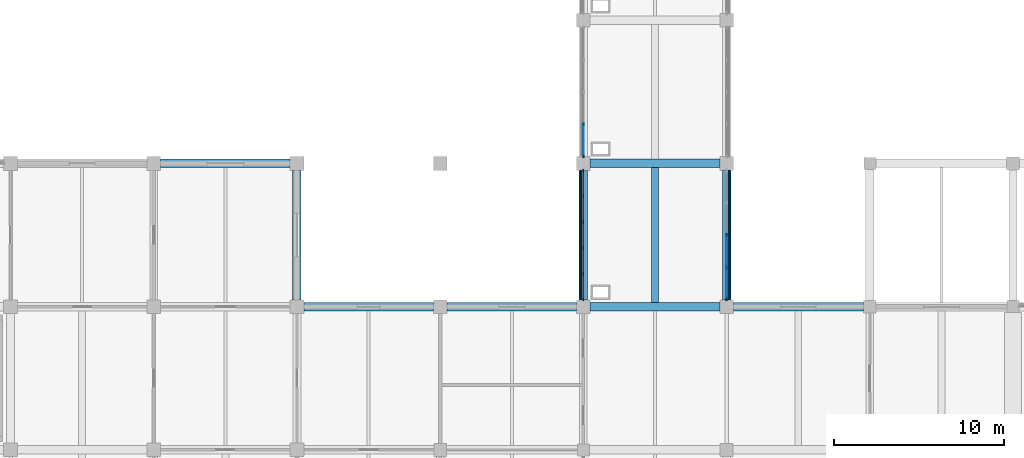
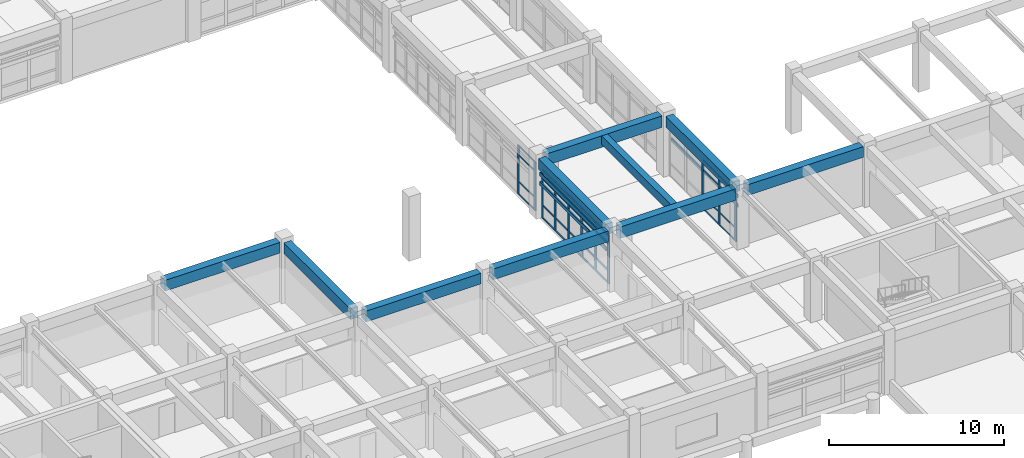
# One storey, part 22 of 99: 47 members, 10 beams, 3 elements without a shape of their own.
"""IFC4 building model written with IfcOpenShell, lengths in metres."""

from ifc_helpers import new_model, si_unit, direction, frame, origin, origin_2d, place, context, subcontext, project, spatial, rectangle, extrude, material, layer, layer_set, material_profile, profile_set, type_object, element, aggregate, save


model = new_model("IFC4")

# Units and contexts
model_context = context("Model", 3, precision=1e-05, world=origin(), true_north=direction((0.0, 1.0)))
body_context = subcontext(model_context, "Body", "Model", "MODEL_VIEW")
ifc_project = project(units=[si_unit("LENGTHUNIT", "METRE"), si_unit("AREAUNIT", "SQUARE_METRE"), si_unit("VOLUMEUNIT", "CUBIC_METRE"), si_unit("PLANEANGLEUNIT", "RADIAN"), si_unit("MASSUNIT", "GRAM", prefix="KILO")], contexts=[model_context])

# Site, building, storey
site_placement = place(None, origin())
site = spatial("IfcSite", under=ifc_project, at=site_placement, CompositionType="ELEMENT")
building_placement = place(site_placement, origin())
building = spatial("IfcBuilding", under=site, at=building_placement, Name="Porcellanite Civic Hall", CompositionType="ELEMENT")
storey_placement = place(building_placement, frame((0.0, 0.0, 5.760009765625)))
storey = spatial("IfcBuildingStorey", under=building, at=storey_placement, Name="L01", CompositionType="ELEMENT", Elevation=5.760009765625)

# Beams
ifc_material_1 = material(Name="Concrete N50 (50 MPa)", Category="concrete")
ifc_material_profile_1 = material_profile(ifc_material_1, rectangle(XDim=0.39990234375, YDim=0.60009765625, at=origin_2d()), Name="RC-400x600")
ifc_profile_set_1 = profile_set([ifc_material_profile_1], Name="Concrete N50 (50 MPa)")
beam_type_1 = type_object("IfcBeamType", Name="BM-RC600", PredefinedType="JOIST", material=ifc_profile_set_1)
beam_1_placement = place(storey_placement, frame((54.60009765625, 67.449462890625, 3.89990234375), z_axis=(0.0, 1.0, 0.0), x_axis=(-1.0, 0.0, 0.0)))
element("IfcBeam", 1, at=beam_1_placement, inside=storey, type_object=beam_type_1, Name="Secondary joist L01 7-9", PredefinedType="JOIST", context=body_context, shape_type="SweptSolid", body=[
    extrude(rectangle(XDim=0.39990234375, YDim=0.60009765625, at=origin_2d()), origin(), (0.0, 0.0, 1.0), 7.901123046875),
])
ifc_material_2 = material(Name="Concrete N50 (50 MPa)", Category="concrete")
ifc_material_profile_2 = material_profile(ifc_material_2, rectangle(XDim=0.5, YDim=0.75, at=origin_2d()), Name="RC-500x750")
ifc_profile_set_2 = profile_set([ifc_material_profile_2], Name="Concrete N50 (50 MPa)")
beam_type_2 = type_object("IfcBeamType", Name="BM-RC750", PredefinedType="SPANDREL", material=ifc_profile_set_2)
beam_2_placement = place(storey_placement, frame((25.599609375, 75.60009765625, 3.824951171875), z_axis=(1.0, 0.0, 0.0), x_axis=(0.0, 1.0, 0.0)))
element("IfcBeam", 2, at=beam_2_placement, inside=storey, type_object=beam_type_2, Name="Beam X L01 4-10", PredefinedType="SPANDREL", context=body_context, shape_type="SweptSolid", body=[
    extrude(rectangle(XDim=0.5, YDim=0.75, at=origin_2d()), origin(), (0.0, 0.0, 1.0), 7.600830078125),
])
for number, where, z_axis, x_axis, name in (
    (3, (33.99951171875, 67.199951171875, 3.824951171875), (1.0, 0.0, 0.0), (0.0, 1.0, 0.0), "Beam X L01 5-9"),
    (4, (42.3994140625, 67.199951171875, 3.824951171875), (1.0, 0.0, 0.0), (0.0, 1.0, 0.0), "Beam X L01 6-9"),
):
    element("IfcBeam", number, at=place(storey_placement, frame(where, z_axis=z_axis, x_axis=x_axis)), inside=storey, type_object=beam_type_2, Name=name, PredefinedType="SPANDREL", context=body_context, shape_type="SweptSolid", body=[
        extrude(rectangle(XDim=0.5, YDim=0.75, at=origin_2d()), origin(), (0.0, 0.0, 1.0), 7.60107421875),
    ])
beam_3_placement = place(storey_placement, frame((59.199462890625, 67.199951171875, 3.824951171875), z_axis=(1.0, 0.0, 0.0), x_axis=(0.0, 1.0, 0.0)))
element("IfcBeam", 5, at=beam_3_placement, inside=storey, type_object=beam_type_2, Name="Beam X L01 8-9", PredefinedType="SPANDREL", context=body_context, shape_type="SweptSolid", body=[
    extrude(rectangle(XDim=0.5, YDim=0.75, at=origin_2d()), origin(), (0.0, 0.0, 1.0), 7.6259765625),
])
for number, where, z_axis, x_axis, name in (
    (6, (33.60009765625, 67.599609375, 3.824951171875), (0.0, 1.0, 0.0), (-1.0, 0.0, 0.0), "Beam Y L01 5-9"),
    (7, (50.39990234375, 67.599609375, 3.824951171875), (0.0, 1.0, 0.0), (-1.0, 0.0, 0.0), "Beam Y L01 7-9"),
    (8, (58.800048828125, 67.599609375, 3.824951171875), (0.0, 1.0, 0.0), (-1.0, 0.0, 0.0), "Beam Y L01 8-9"),
):
    element("IfcBeam", number, at=place(storey_placement, frame(where, z_axis=z_axis, x_axis=x_axis)), inside=storey, type_object=beam_type_2, Name=name, PredefinedType="SPANDREL", context=body_context, shape_type="SweptSolid", body=[
        extrude(rectangle(XDim=0.5, YDim=0.75, at=origin_2d()), origin(), (0.0, 0.0, 1.0), 7.600830078125),
    ])
ifc_material_3 = material(Name="Concrete N50 (50 MPa)", Category="concrete")
ifc_material_profile_3 = material_profile(ifc_material_3, rectangle(XDim=0.5, YDim=0.800048828125, at=origin_2d()), Name="RC-500x800")
ifc_profile_set_3 = profile_set([ifc_material_profile_3], Name="Concrete N50 (50 MPa)")
beam_type_3 = type_object("IfcBeamType", Name="BM-RC800", PredefinedType="BEAM", material=ifc_profile_set_3)
for number, where, z_axis, x_axis, name in (
    (9, (50.799560546875, 67.199951171875, 3.800048828125), (1.0, 0.0, 0.0), (0.0, 1.0, 0.0), "Beam X L01 7-9"),
    (10, (50.799560546875, 75.60009765625, 3.800048828125), (1.0, 0.0, 0.0), (0.0, 1.0, 0.0), "Beam X L01 7-10"),
):
    element("IfcBeam", number, at=place(storey_placement, frame(where, z_axis=z_axis, x_axis=x_axis)), inside=storey, type_object=beam_type_3, Name=name, PredefinedType="BEAM", context=body_context, shape_type="SweptSolid", body=[
        extrude(rectangle(XDim=0.5, YDim=0.800048828125, at=origin_2d()), origin(), (0.0, 0.0, 1.0), 7.600830078125),
    ])

# Curtain wall, members
ifc_material_4 = material(Name="Anodised aluminium and solar laminated glass", Category="aluminium")
ifc_layer_1 = layer(ifc_material_4, 0.179931640625)
ifc_layer_set_1 = layer_set([ifc_layer_1], Name="Anodised aluminium and solar laminated glass")
curtain_wall_type_1 = type_object("IfcCurtainWallType", Name="CW-SYS03", PredefinedType="NOTDEFINED", material=ifc_layer_set_1)
curtain_wall_1_placement = place(storey_placement, origin())
curtain_wall_1 = element("IfcCurtainWall", 11, at=curtain_wall_1_placement, inside=storey, type_object=curtain_wall_type_1, Name="Curtain wall CW-078", PredefinedType="NOTDEFINED")
ifc_material_5 = material(Name="Anodised aluminium 6063-T6", Category="aluminium")
ifc_material_profile_4 = material_profile(ifc_material_5, rectangle(XDim=0.080078125, YDim=0.2099609375, at=origin_2d()), Name="AL-80x210")
ifc_profile_set_4 = profile_set([ifc_material_profile_4], Name="Anodised aluminium 6063-T6")
member_type_1 = type_object("IfcMemberType", Name="CWM-02", PredefinedType="MULLION", material=ifc_profile_set_4)
member_1_placement = place(storey_placement, frame((58.800048828125, 71.39990234375, 0.0), z_axis=(0.0, 0.0, 1.0), x_axis=(1.0, 0.0, 0.0)))
member_1 = element("IfcMember", 12, at=member_1_placement, type_object=member_type_1, Name="CW-078 mullion 3", PredefinedType="MULLION", context=body_context, shape_type="SweptSolid", body=[
    extrude(rectangle(XDim=0.080078125, YDim=0.2099609375, at=origin_2d()), origin(), (0.0, 0.0, 1.0), 3.39990234375),
])
member_2_placement = place(storey_placement, frame((58.800048828125, 69.50048828125, 0.0), z_axis=(0.0, 0.0, 1.0), x_axis=(1.0, 0.0, 0.0)))
member_2 = element("IfcMember", 13, at=member_2_placement, type_object=member_type_1, Name="CW-078 mullion 4", PredefinedType="MULLION", context=body_context, shape_type="SweptSolid", body=[
    extrude(rectangle(XDim=0.080078125, YDim=0.2099609375, at=origin_2d()), origin(), (0.0, 0.0, 1.0), 3.39990234375),
])
member_3_placement = place(storey_placement, frame((58.800048828125, 67.64111328125, 0.0), z_axis=(0.0, 0.0, 1.0), x_axis=(1.0, 0.0, 0.0)))
member_3 = element("IfcMember", 14, at=member_3_placement, type_object=member_type_1, Name="CW-078 mullion 5", PredefinedType="MULLION", context=body_context, shape_type="SweptSolid", body=[
    extrude(rectangle(XDim=0.080078125, YDim=0.2099609375, at=origin_2d()), origin(), (0.0, 0.0, 1.0), 3.39990234375),
])

ifc_material_6 = material(Name="Anodised aluminium and solar laminated glass", Category="aluminium")
ifc_layer_2 = layer(ifc_material_6, 0.179931640625)
ifc_layer_set_2 = layer_set([ifc_layer_2], Name="Anodised aluminium and solar laminated glass")
curtain_wall_type_2 = type_object("IfcCurtainWallType", Name="CW-SYS04", PredefinedType="NOTDEFINED", material=ifc_layer_set_2)
curtain_wall_2_placement = place(storey_placement, origin())
curtain_wall_2 = element("IfcCurtainWall", 15, at=curtain_wall_2_placement, inside=storey, type_object=curtain_wall_type_2, Name="Curtain wall CW-079", PredefinedType="NOTDEFINED")
ifc_material_7 = material(Name="Anodised aluminium 6063-T6", Category="aluminium")
ifc_material_profile_5 = material_profile(ifc_material_7, rectangle(XDim=0.074951171875, YDim=0.18994140625, at=origin_2d()), Name="AL-75x190")
ifc_profile_set_5 = profile_set([ifc_material_profile_5], Name="Anodised aluminium 6063-T6")
member_type_2 = type_object("IfcMemberType", Name="CWM-04", PredefinedType="MULLION", material=ifc_profile_set_5)
member_4_placement = place(storey_placement, frame((50.39990234375, 76.03857421875, 0.0), z_axis=(0.0, 0.0, 1.0), x_axis=(-1.0, 0.0, 0.0)))
member_4 = element("IfcMember", 16, at=member_4_placement, type_object=member_type_2, Name="CW-079 mullion 1", PredefinedType="MULLION", context=body_context, shape_type="SweptSolid", body=[
    extrude(rectangle(XDim=0.074951171875, YDim=0.18994140625, at=origin_2d()), origin(), (0.0, 0.0, 1.0), 3.39990234375),
])
member_5_placement = place(storey_placement, frame((50.39990234375, 77.900390625, 0.0), z_axis=(0.0, 0.0, 1.0), x_axis=(-1.0, 0.0, 0.0)))
member_5 = element("IfcMember", 17, at=member_5_placement, type_object=member_type_2, Name="CW-079 mullion 2", PredefinedType="MULLION", context=body_context, shape_type="SweptSolid", body=[
    extrude(rectangle(XDim=0.074951171875, YDim=0.18994140625, at=origin_2d()), origin(), (0.0, 0.0, 1.0), 3.39990234375),
])

ifc_material_8 = material(Name="Anodised aluminium and solar laminated glass", Category="aluminium")
ifc_layer_3 = layer(ifc_material_8, 0.179931640625)
ifc_layer_set_3 = layer_set([ifc_layer_3], Name="Anodised aluminium and solar laminated glass")
curtain_wall_type_3 = type_object("IfcCurtainWallType", Name="CW-SYS01", PredefinedType="NOTDEFINED", material=ifc_layer_set_3)
curtain_wall_3_placement = place(storey_placement, origin())
curtain_wall_3 = element("IfcCurtainWall", 18, at=curtain_wall_3_placement, inside=storey, type_object=curtain_wall_type_3, Name="Curtain wall CW-077", PredefinedType="NOTDEFINED")
ifc_material_9 = material(Name="Anodised aluminium 6063-T6", Category="aluminium")
ifc_material_profile_6 = material_profile(ifc_material_9, rectangle(XDim=0.070068359375, YDim=0.199951171875, at=origin_2d()), Name="AL-70x200")
ifc_profile_set_6 = profile_set([ifc_material_profile_6], Name="Anodised aluminium 6063-T6")
member_type_3 = type_object("IfcMemberType", Name="CWM-05", PredefinedType="MULLION", material=ifc_profile_set_6)
member_6_placement = place(storey_placement, frame((50.39990234375, 67.635986328125, 0.0), z_axis=(0.0, 0.0, 1.0), x_axis=(-1.0, 0.0, 0.0)))
member_6 = element("IfcMember", 19, at=member_6_placement, type_object=member_type_3, Name="CW-077 mullion 1", PredefinedType="MULLION", context=body_context, shape_type="SweptSolid", body=[
    extrude(rectangle(XDim=0.070068359375, YDim=0.199951171875, at=origin_2d()), origin(), (0.0, 0.0, 1.0), 3.39990234375),
])
member_7_placement = place(storey_placement, frame((50.39990234375, 69.12060546875, 0.0), z_axis=(0.0, 0.0, 1.0), x_axis=(-1.0, 0.0, 0.0)))
member_7 = element("IfcMember", 20, at=member_7_placement, type_object=member_type_3, Name="CW-077 mullion 2", PredefinedType="MULLION", context=body_context, shape_type="SweptSolid", body=[
    extrude(rectangle(XDim=0.070068359375, YDim=0.199951171875, at=origin_2d()), origin(), (0.0, 0.0, 1.0), 3.39990234375),
])
member_8_placement = place(storey_placement, frame((50.39990234375, 70.64013671875, 0.0), z_axis=(0.0, 0.0, 1.0), x_axis=(-1.0, 0.0, 0.0)))
member_8 = element("IfcMember", 21, at=member_8_placement, type_object=member_type_3, Name="CW-077 mullion 3", PredefinedType="MULLION", context=body_context, shape_type="SweptSolid", body=[
    extrude(rectangle(XDim=0.070068359375, YDim=0.199951171875, at=origin_2d()), origin(), (0.0, 0.0, 1.0), 3.39990234375),
])
member_9_placement = place(storey_placement, frame((50.39990234375, 72.159912109375, 0.0), z_axis=(0.0, 0.0, 1.0), x_axis=(-1.0, 0.0, 0.0)))
member_9 = element("IfcMember", 22, at=member_9_placement, type_object=member_type_3, Name="CW-077 mullion 4", PredefinedType="MULLION", context=body_context, shape_type="SweptSolid", body=[
    extrude(rectangle(XDim=0.070068359375, YDim=0.199951171875, at=origin_2d()), origin(), (0.0, 0.0, 1.0), 3.39990234375),
])
member_10_placement = place(storey_placement, frame((50.39990234375, 73.679443359375, 0.0), z_axis=(0.0, 0.0, 1.0), x_axis=(-1.0, 0.0, 0.0)))
member_10 = element("IfcMember", 23, at=member_10_placement, type_object=member_type_3, Name="CW-077 mullion 5", PredefinedType="MULLION", context=body_context, shape_type="SweptSolid", body=[
    extrude(rectangle(XDim=0.070068359375, YDim=0.199951171875, at=origin_2d()), origin(), (0.0, 0.0, 1.0), 3.39990234375),
])
member_11_placement = place(storey_placement, frame((50.39990234375, 75.1640625, 0.0), z_axis=(0.0, 0.0, 1.0), x_axis=(-1.0, 0.0, 0.0)))
member_11 = element("IfcMember", 24, at=member_11_placement, type_object=member_type_3, Name="CW-077 mullion 6", PredefinedType="MULLION", context=body_context, shape_type="SweptSolid", body=[
    extrude(rectangle(XDim=0.070068359375, YDim=0.199951171875, at=origin_2d()), origin(), (0.0, 0.0, 1.0), 3.39990234375),
])
ifc_material_10 = material(Name="Anodised aluminium 6063-T6", Category="aluminium")
ifc_material_profile_7 = material_profile(ifc_material_10, rectangle(XDim=0.06005859375, YDim=0.1298828125, at=origin_2d()), Name="AL-60x130")
ifc_profile_set_7 = profile_set([ifc_material_profile_7], Name="Anodised aluminium 6063-T6")
member_type_4 = type_object("IfcMemberType", Name="CWT-03", PredefinedType="USERDEFINED", material=ifc_profile_set_7)
member_12_placement = place(storey_placement, frame((50.39990234375, 67.6708984375, 0.030029296875), z_axis=(0.0, 1.0, 0.0), x_axis=(-1.0, 0.0, 0.0)))
member_12 = element("IfcMember", 25, at=member_12_placement, type_object=member_type_4, Name="CW-077 transom 1.1", ObjectType="TRANSOM", PredefinedType="USERDEFINED", context=body_context, shape_type="SweptSolid", body=[
    extrude(rectangle(XDim=0.06005859375, YDim=0.1298828125, at=origin_2d()), origin(), (0.0, 0.0, 1.0), 1.414794921875),
])
member_13_placement = place(storey_placement, frame((50.39990234375, 67.6708984375, 0.89990234375), z_axis=(0.0, 1.0, 0.0), x_axis=(-1.0, 0.0, 0.0)))
member_13 = element("IfcMember", 26, at=member_13_placement, type_object=member_type_4, Name="CW-077 transom 1.2", ObjectType="TRANSOM", PredefinedType="USERDEFINED", context=body_context, shape_type="SweptSolid", body=[
    extrude(rectangle(XDim=0.06005859375, YDim=0.1298828125, at=origin_2d()), origin(), (0.0, 0.0, 1.0), 1.414794921875),
])
member_14_placement = place(storey_placement, frame((50.39990234375, 67.6708984375, 2.75), z_axis=(0.0, 1.0, 0.0), x_axis=(-1.0, 0.0, 0.0)))
member_14 = element("IfcMember", 27, at=member_14_placement, type_object=member_type_4, Name="CW-077 transom 1.3", ObjectType="TRANSOM", PredefinedType="USERDEFINED", context=body_context, shape_type="SweptSolid", body=[
    extrude(rectangle(XDim=0.06005859375, YDim=0.1298828125, at=origin_2d()), origin(), (0.0, 0.0, 1.0), 1.414794921875),
])
member_15_placement = place(storey_placement, frame((50.39990234375, 67.6708984375, 3.369873046875), z_axis=(0.0, 1.0, 0.0), x_axis=(-1.0, 0.0, 0.0)))
member_15 = element("IfcMember", 28, at=member_15_placement, type_object=member_type_4, Name="CW-077 transom 1.4", ObjectType="TRANSOM", PredefinedType="USERDEFINED", context=body_context, shape_type="SweptSolid", body=[
    extrude(rectangle(XDim=0.06005859375, YDim=0.1298828125, at=origin_2d()), origin(), (0.0, 0.0, 1.0), 1.414794921875),
])
member_16_placement = place(storey_placement, frame((50.39990234375, 69.155517578125, 0.030029296875), z_axis=(0.0, 1.0, 0.0), x_axis=(-1.0, 0.0, 0.0)))
member_16 = element("IfcMember", 29, at=member_16_placement, type_object=member_type_4, Name="CW-077 transom 2.1", ObjectType="TRANSOM", PredefinedType="USERDEFINED", context=body_context, shape_type="SweptSolid", body=[
    extrude(rectangle(XDim=0.06005859375, YDim=0.1298828125, at=origin_2d()), origin(), (0.0, 0.0, 1.0), 1.44970703125),
])
member_17_placement = place(storey_placement, frame((50.39990234375, 69.155517578125, 0.89990234375), z_axis=(0.0, 1.0, 0.0), x_axis=(-1.0, 0.0, 0.0)))
member_17 = element("IfcMember", 30, at=member_17_placement, type_object=member_type_4, Name="CW-077 transom 2.2", ObjectType="TRANSOM", PredefinedType="USERDEFINED", context=body_context, shape_type="SweptSolid", body=[
    extrude(rectangle(XDim=0.06005859375, YDim=0.1298828125, at=origin_2d()), origin(), (0.0, 0.0, 1.0), 1.44970703125),
])
member_18_placement = place(storey_placement, frame((50.39990234375, 69.155517578125, 2.75), z_axis=(0.0, 1.0, 0.0), x_axis=(-1.0, 0.0, 0.0)))
member_18 = element("IfcMember", 31, at=member_18_placement, type_object=member_type_4, Name="CW-077 transom 2.3", ObjectType="TRANSOM", PredefinedType="USERDEFINED", context=body_context, shape_type="SweptSolid", body=[
    extrude(rectangle(XDim=0.06005859375, YDim=0.1298828125, at=origin_2d()), origin(), (0.0, 0.0, 1.0), 1.44970703125),
])
member_19_placement = place(storey_placement, frame((50.39990234375, 69.155517578125, 3.369873046875), z_axis=(0.0, 1.0, 0.0), x_axis=(-1.0, 0.0, 0.0)))
member_19 = element("IfcMember", 32, at=member_19_placement, type_object=member_type_4, Name="CW-077 transom 2.4", ObjectType="TRANSOM", PredefinedType="USERDEFINED", context=body_context, shape_type="SweptSolid", body=[
    extrude(rectangle(XDim=0.06005859375, YDim=0.1298828125, at=origin_2d()), origin(), (0.0, 0.0, 1.0), 1.44970703125),
])
member_20_placement = place(storey_placement, frame((50.39990234375, 70.67529296875, 0.030029296875), z_axis=(0.0, 1.0, 0.0), x_axis=(-1.0, 0.0, 0.0)))
member_20 = element("IfcMember", 33, at=member_20_placement, type_object=member_type_4, Name="CW-077 transom 3.1", ObjectType="TRANSOM", PredefinedType="USERDEFINED", context=body_context, shape_type="SweptSolid", body=[
    extrude(rectangle(XDim=0.06005859375, YDim=0.1298828125, at=origin_2d()), origin(), (0.0, 0.0, 1.0), 1.449462890625),
])
member_21_placement = place(storey_placement, frame((50.39990234375, 70.67529296875, 0.89990234375), z_axis=(0.0, 1.0, 0.0), x_axis=(-1.0, 0.0, 0.0)))
member_21 = element("IfcMember", 34, at=member_21_placement, type_object=member_type_4, Name="CW-077 transom 3.2", ObjectType="TRANSOM", PredefinedType="USERDEFINED", context=body_context, shape_type="SweptSolid", body=[
    extrude(rectangle(XDim=0.06005859375, YDim=0.1298828125, at=origin_2d()), origin(), (0.0, 0.0, 1.0), 1.449462890625),
])
member_22_placement = place(storey_placement, frame((50.39990234375, 70.67529296875, 2.75), z_axis=(0.0, 1.0, 0.0), x_axis=(-1.0, 0.0, 0.0)))
member_22 = element("IfcMember", 35, at=member_22_placement, type_object=member_type_4, Name="CW-077 transom 3.3", ObjectType="TRANSOM", PredefinedType="USERDEFINED", context=body_context, shape_type="SweptSolid", body=[
    extrude(rectangle(XDim=0.06005859375, YDim=0.1298828125, at=origin_2d()), origin(), (0.0, 0.0, 1.0), 1.449462890625),
])
member_23_placement = place(storey_placement, frame((50.39990234375, 70.67529296875, 3.369873046875), z_axis=(0.0, 1.0, 0.0), x_axis=(-1.0, 0.0, 0.0)))
member_23 = element("IfcMember", 36, at=member_23_placement, type_object=member_type_4, Name="CW-077 transom 3.4", ObjectType="TRANSOM", PredefinedType="USERDEFINED", context=body_context, shape_type="SweptSolid", body=[
    extrude(rectangle(XDim=0.06005859375, YDim=0.1298828125, at=origin_2d()), origin(), (0.0, 0.0, 1.0), 1.449462890625),
])
member_24_placement = place(storey_placement, frame((50.39990234375, 72.19482421875, 0.030029296875), z_axis=(0.0, 1.0, 0.0), x_axis=(-1.0, 0.0, 0.0)))
member_24 = element("IfcMember", 37, at=member_24_placement, type_object=member_type_4, Name="CW-077 transom 4.1", ObjectType="TRANSOM", PredefinedType="USERDEFINED", context=body_context, shape_type="SweptSolid", body=[
    extrude(rectangle(XDim=0.06005859375, YDim=0.1298828125, at=origin_2d()), origin(), (0.0, 0.0, 1.0), 1.449462890625),
])
member_25_placement = place(storey_placement, frame((50.39990234375, 72.19482421875, 0.89990234375), z_axis=(0.0, 1.0, 0.0), x_axis=(-1.0, 0.0, 0.0)))
member_25 = element("IfcMember", 38, at=member_25_placement, type_object=member_type_4, Name="CW-077 transom 4.2", ObjectType="TRANSOM", PredefinedType="USERDEFINED", context=body_context, shape_type="SweptSolid", body=[
    extrude(rectangle(XDim=0.06005859375, YDim=0.1298828125, at=origin_2d()), origin(), (0.0, 0.0, 1.0), 1.449462890625),
])
member_26_placement = place(storey_placement, frame((50.39990234375, 72.19482421875, 2.75), z_axis=(0.0, 1.0, 0.0), x_axis=(-1.0, 0.0, 0.0)))
member_26 = element("IfcMember", 39, at=member_26_placement, type_object=member_type_4, Name="CW-077 transom 4.3", ObjectType="TRANSOM", PredefinedType="USERDEFINED", context=body_context, shape_type="SweptSolid", body=[
    extrude(rectangle(XDim=0.06005859375, YDim=0.1298828125, at=origin_2d()), origin(), (0.0, 0.0, 1.0), 1.449462890625),
])
member_27_placement = place(storey_placement, frame((50.39990234375, 72.19482421875, 3.369873046875), z_axis=(0.0, 1.0, 0.0), x_axis=(-1.0, 0.0, 0.0)))
member_27 = element("IfcMember", 40, at=member_27_placement, type_object=member_type_4, Name="CW-077 transom 4.4", ObjectType="TRANSOM", PredefinedType="USERDEFINED", context=body_context, shape_type="SweptSolid", body=[
    extrude(rectangle(XDim=0.06005859375, YDim=0.1298828125, at=origin_2d()), origin(), (0.0, 0.0, 1.0), 1.449462890625),
])
member_28_placement = place(storey_placement, frame((50.39990234375, 73.71435546875, 0.030029296875), z_axis=(0.0, 1.0, 0.0), x_axis=(-1.0, 0.0, 0.0)))
member_28 = element("IfcMember", 41, at=member_28_placement, type_object=member_type_4, Name="CW-077 transom 5.1", ObjectType="TRANSOM", PredefinedType="USERDEFINED", context=body_context, shape_type="SweptSolid", body=[
    extrude(rectangle(XDim=0.06005859375, YDim=0.1298828125, at=origin_2d()), origin(), (0.0, 0.0, 1.0), 1.41455078125),
])
member_29_placement = place(storey_placement, frame((50.39990234375, 73.71435546875, 0.89990234375), z_axis=(0.0, 1.0, 0.0), x_axis=(-1.0, 0.0, 0.0)))
member_29 = element("IfcMember", 42, at=member_29_placement, type_object=member_type_4, Name="CW-077 transom 5.2", ObjectType="TRANSOM", PredefinedType="USERDEFINED", context=body_context, shape_type="SweptSolid", body=[
    extrude(rectangle(XDim=0.06005859375, YDim=0.1298828125, at=origin_2d()), origin(), (0.0, 0.0, 1.0), 1.41455078125),
])
member_30_placement = place(storey_placement, frame((50.39990234375, 73.71435546875, 2.75), z_axis=(0.0, 1.0, 0.0), x_axis=(-1.0, 0.0, 0.0)))
member_30 = element("IfcMember", 43, at=member_30_placement, type_object=member_type_4, Name="CW-077 transom 5.3", ObjectType="TRANSOM", PredefinedType="USERDEFINED", context=body_context, shape_type="SweptSolid", body=[
    extrude(rectangle(XDim=0.06005859375, YDim=0.1298828125, at=origin_2d()), origin(), (0.0, 0.0, 1.0), 1.41455078125),
])
member_31_placement = place(storey_placement, frame((50.39990234375, 73.71435546875, 3.369873046875), z_axis=(0.0, 1.0, 0.0), x_axis=(-1.0, 0.0, 0.0)))
member_31 = element("IfcMember", 44, at=member_31_placement, type_object=member_type_4, Name="CW-077 transom 5.4", ObjectType="TRANSOM", PredefinedType="USERDEFINED", context=body_context, shape_type="SweptSolid", body=[
    extrude(rectangle(XDim=0.06005859375, YDim=0.1298828125, at=origin_2d()), origin(), (0.0, 0.0, 1.0), 1.41455078125),
])
aggregate(curtain_wall_3, [member_6, member_7, member_8, member_9, member_10, member_11, member_12, member_13, member_14, member_15, member_16, member_17, member_18, member_19, member_20, member_21, member_22, member_23, member_24, member_25, member_26, member_27, member_28, member_29, member_30, member_31])

# Member
ifc_material_11 = material(Name="Anodised aluminium 6063-T6", Category="aluminium")
ifc_material_profile_8 = material_profile(ifc_material_11, rectangle(XDim=0.054931640625, YDim=0.1201171875, at=origin_2d()), Name="AL-55x120")
ifc_profile_set_8 = profile_set([ifc_material_profile_8], Name="Anodised aluminium 6063-T6")
member_type_5 = type_object("IfcMemberType", Name="CWT-04", PredefinedType="USERDEFINED", material=ifc_profile_set_8)
member_32_placement = place(storey_placement, frame((58.800048828125, 71.360107421875, 0.027587890625), z_axis=(0.0, -1.0, 0.0), x_axis=(1.0, 0.0, 0.0)))
member_32 = element("IfcMember", 45, at=member_32_placement, type_object=member_type_5, Name="CW-078 transom 3.1", ObjectType="TRANSOM", PredefinedType="USERDEFINED", context=body_context, shape_type="SweptSolid", body=[
    extrude(rectangle(XDim=0.054931640625, YDim=0.1201171875, at=origin_2d()), origin(), (0.0, 0.0, 1.0), 1.819580078125),
])

member_33_placement = place(storey_placement, frame((58.800048828125, 71.360107421875, 0.89990234375), z_axis=(0.0, -1.0, 0.0), x_axis=(1.0, 0.0, 0.0)))
member_33 = element("IfcMember", 46, at=member_33_placement, type_object=member_type_5, Name="CW-078 transom 3.2", ObjectType="TRANSOM", PredefinedType="USERDEFINED", context=body_context, shape_type="SweptSolid", body=[
    extrude(rectangle(XDim=0.054931640625, YDim=0.1201171875, at=origin_2d()), origin(), (0.0, 0.0, 1.0), 1.819580078125),
])

member_34_placement = place(storey_placement, frame((58.800048828125, 71.360107421875, 2.75), z_axis=(0.0, -1.0, 0.0), x_axis=(1.0, 0.0, 0.0)))
member_34 = element("IfcMember", 47, at=member_34_placement, type_object=member_type_5, Name="CW-078 transom 3.3", ObjectType="TRANSOM", PredefinedType="USERDEFINED", context=body_context, shape_type="SweptSolid", body=[
    extrude(rectangle(XDim=0.054931640625, YDim=0.1201171875, at=origin_2d()), origin(), (0.0, 0.0, 1.0), 1.819580078125),
])

member_35_placement = place(storey_placement, frame((58.800048828125, 71.360107421875, 3.37255859375), z_axis=(0.0, -1.0, 0.0), x_axis=(1.0, 0.0, 0.0)))
member_35 = element("IfcMember", 48, at=member_35_placement, type_object=member_type_5, Name="CW-078 transom 3.4", ObjectType="TRANSOM", PredefinedType="USERDEFINED", context=body_context, shape_type="SweptSolid", body=[
    extrude(rectangle(XDim=0.054931640625, YDim=0.1201171875, at=origin_2d()), origin(), (0.0, 0.0, 1.0), 1.819580078125),
])

member_36_placement = place(storey_placement, frame((58.800048828125, 69.46044921875, 0.027587890625), z_axis=(0.0, -1.0, 0.0), x_axis=(1.0, 0.0, 0.0)))
member_36 = element("IfcMember", 49, at=member_36_placement, type_object=member_type_5, Name="CW-078 transom 4.1", ObjectType="TRANSOM", PredefinedType="USERDEFINED", context=body_context, shape_type="SweptSolid", body=[
    extrude(rectangle(XDim=0.054931640625, YDim=0.1201171875, at=origin_2d()), origin(), (0.0, 0.0, 1.0), 1.779541015625),
])

member_37_placement = place(storey_placement, frame((58.800048828125, 69.46044921875, 0.89990234375), z_axis=(0.0, -1.0, 0.0), x_axis=(1.0, 0.0, 0.0)))
member_37 = element("IfcMember", 50, at=member_37_placement, type_object=member_type_5, Name="CW-078 transom 4.2", ObjectType="TRANSOM", PredefinedType="USERDEFINED", context=body_context, shape_type="SweptSolid", body=[
    extrude(rectangle(XDim=0.054931640625, YDim=0.1201171875, at=origin_2d()), origin(), (0.0, 0.0, 1.0), 1.779541015625),
])

member_38_placement = place(storey_placement, frame((58.800048828125, 69.46044921875, 2.75), z_axis=(0.0, -1.0, 0.0), x_axis=(1.0, 0.0, 0.0)))
member_38 = element("IfcMember", 51, at=member_38_placement, type_object=member_type_5, Name="CW-078 transom 4.3", ObjectType="TRANSOM", PredefinedType="USERDEFINED", context=body_context, shape_type="SweptSolid", body=[
    extrude(rectangle(XDim=0.054931640625, YDim=0.1201171875, at=origin_2d()), origin(), (0.0, 0.0, 1.0), 1.779541015625),
])

member_39_placement = place(storey_placement, frame((58.800048828125, 69.46044921875, 3.37255859375), z_axis=(0.0, -1.0, 0.0), x_axis=(1.0, 0.0, 0.0)))
member_39 = element("IfcMember", 52, at=member_39_placement, type_object=member_type_5, Name="CW-078 transom 4.4", ObjectType="TRANSOM", PredefinedType="USERDEFINED", context=body_context, shape_type="SweptSolid", body=[
    extrude(rectangle(XDim=0.054931640625, YDim=0.1201171875, at=origin_2d()), origin(), (0.0, 0.0, 1.0), 1.779541015625),
])

aggregate(curtain_wall_1, [member_1, member_2, member_3, member_32, member_33, member_34, member_35, member_36, member_37, member_38, member_39])

ifc_material_12 = material(Name="Anodised aluminium 6063-T6", Category="aluminium")
ifc_material_profile_9 = material_profile(ifc_material_12, rectangle(XDim=0.054931640625, YDim=0.10009765625, at=origin_2d()), Name="AL-55x100")
ifc_profile_set_9 = profile_set([ifc_material_profile_9], Name="Anodised aluminium 6063-T6")
member_type_6 = type_object("IfcMemberType", Name="CWT-05", PredefinedType="USERDEFINED", material=ifc_profile_set_9)
member_40_placement = place(storey_placement, frame((50.39990234375, 76.075927734375, 0.027587890625), z_axis=(0.0, 1.0, 0.0), x_axis=(-1.0, 0.0, 0.0)))
member_40 = element("IfcMember", 53, at=member_40_placement, type_object=member_type_6, Name="CW-079 transom 1.1", ObjectType="TRANSOM", PredefinedType="USERDEFINED", context=body_context, shape_type="SweptSolid", body=[
    extrude(rectangle(XDim=0.054931640625, YDim=0.10009765625, at=origin_2d()), origin(), (0.0, 0.0, 1.0), 1.787109375),
])

member_41_placement = place(storey_placement, frame((50.39990234375, 76.075927734375, 0.89990234375), z_axis=(0.0, 1.0, 0.0), x_axis=(-1.0, 0.0, 0.0)))
member_41 = element("IfcMember", 54, at=member_41_placement, type_object=member_type_6, Name="CW-079 transom 1.2", ObjectType="TRANSOM", PredefinedType="USERDEFINED", context=body_context, shape_type="SweptSolid", body=[
    extrude(rectangle(XDim=0.054931640625, YDim=0.10009765625, at=origin_2d()), origin(), (0.0, 0.0, 1.0), 1.787109375),
])

member_42_placement = place(storey_placement, frame((50.39990234375, 76.075927734375, 2.75), z_axis=(0.0, 1.0, 0.0), x_axis=(-1.0, 0.0, 0.0)))
member_42 = element("IfcMember", 55, at=member_42_placement, type_object=member_type_6, Name="CW-079 transom 1.3", ObjectType="TRANSOM", PredefinedType="USERDEFINED", context=body_context, shape_type="SweptSolid", body=[
    extrude(rectangle(XDim=0.054931640625, YDim=0.10009765625, at=origin_2d()), origin(), (0.0, 0.0, 1.0), 1.787109375),
])

member_43_placement = place(storey_placement, frame((50.39990234375, 76.075927734375, 3.37255859375), z_axis=(0.0, 1.0, 0.0), x_axis=(-1.0, 0.0, 0.0)))
member_43 = element("IfcMember", 56, at=member_43_placement, type_object=member_type_6, Name="CW-079 transom 1.4", ObjectType="TRANSOM", PredefinedType="USERDEFINED", context=body_context, shape_type="SweptSolid", body=[
    extrude(rectangle(XDim=0.054931640625, YDim=0.10009765625, at=origin_2d()), origin(), (0.0, 0.0, 1.0), 1.787109375),
])

aggregate(curtain_wall_2, [member_4, member_5, member_40, member_41, member_42, member_43])

# Members
ifc_material_13 = material(Name="Fluoropolymer bauxite-red aluminium 6063-T6", Category="aluminium")
ifc_material_profile_10 = material_profile(ifc_material_13, rectangle(XDim=0.070068359375, YDim=0.260009765625, at=origin_2d()), Name="AL-70x260")
ifc_profile_set_10 = profile_set([ifc_material_profile_10], Name="Fluoropolymer bauxite-red aluminium 6063-T6")
member_type_7 = type_object("IfcMemberType", Name="LV-BLD06", PredefinedType="USERDEFINED", material=ifc_profile_set_10)
for number, where, z_axis, x_axis, name in (
    (57, (50.262939453125, 67.599609375, 3.10009765625), (0.0, 1.0, 0.0), (-1.0, 0.0, 0.0), "Cyclone sunshade louvre L01 W 6-8 1"),
    (58, (50.262939453125, 67.599609375, 2.449951171875), (0.0, 1.0, 0.0), (-1.0, 0.0, 0.0), "Cyclone sunshade louvre L01 W 6-8 2"),
):
    element("IfcMember", number, at=place(storey_placement, frame(where, z_axis=z_axis, x_axis=x_axis)), inside=storey, type_object=member_type_7, Name=name, ObjectType="LOUVRE BLADE", PredefinedType="USERDEFINED", context=body_context, shape_type="SweptSolid", body=[
        extrude(rectangle(XDim=0.070068359375, YDim=0.260009765625, at=origin_2d()), origin(), (0.0, 0.0, 1.0), 7.600830078125),
    ])
ifc_material_14 = material(Name="Fluoropolymer bauxite-red aluminium 6063-T6", Category="aluminium")
ifc_material_profile_11 = material_profile(ifc_material_14, rectangle(XDim=0.06494140625, YDim=0.239990234375, at=origin_2d()), Name="AL-65x240")
ifc_profile_set_11 = profile_set([ifc_material_profile_11], Name="Fluoropolymer bauxite-red aluminium 6063-T6")
member_type_8 = type_object("IfcMemberType", Name="LV-BLD07", PredefinedType="USERDEFINED", material=ifc_profile_set_11)
for number, where, z_axis, x_axis, name in (
    (59, (58.939453125, 75.200439453125, 3.10009765625), (0.0, -1.0, 0.0), (1.0, 0.0, 0.0), "Cyclone sunshade louvre L01 E 6-8 1"),
    (60, (58.939453125, 75.200439453125, 2.449951171875), (0.0, -1.0, 0.0), (1.0, 0.0, 0.0), "Cyclone sunshade louvre L01 E 6-8 2"),
):
    element("IfcMember", number, at=place(storey_placement, frame(where, z_axis=z_axis, x_axis=x_axis)), inside=storey, type_object=member_type_8, Name=name, ObjectType="LOUVRE BLADE", PredefinedType="USERDEFINED", context=body_context, shape_type="SweptSolid", body=[
        extrude(rectangle(XDim=0.06494140625, YDim=0.239990234375, at=origin_2d()), origin(), (0.0, 0.0, 1.0), 7.600830078125),
    ])

save(model, "model.ifc")
